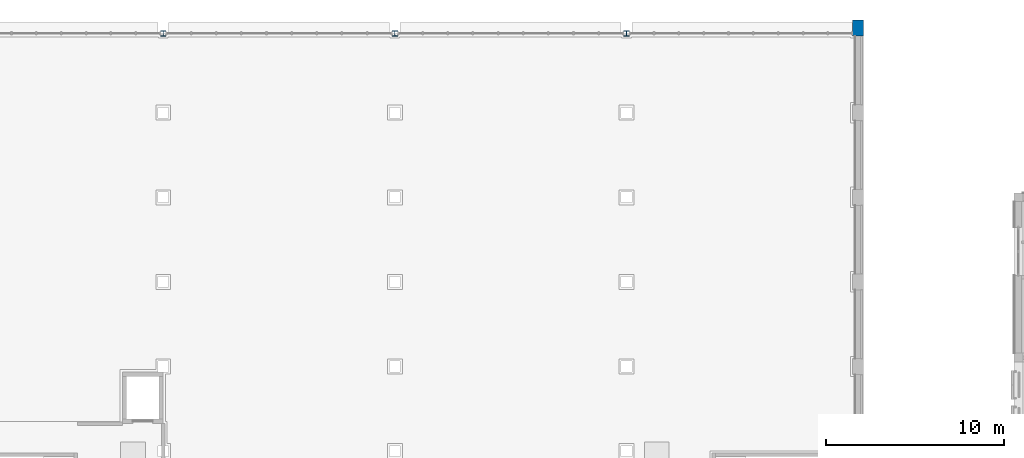
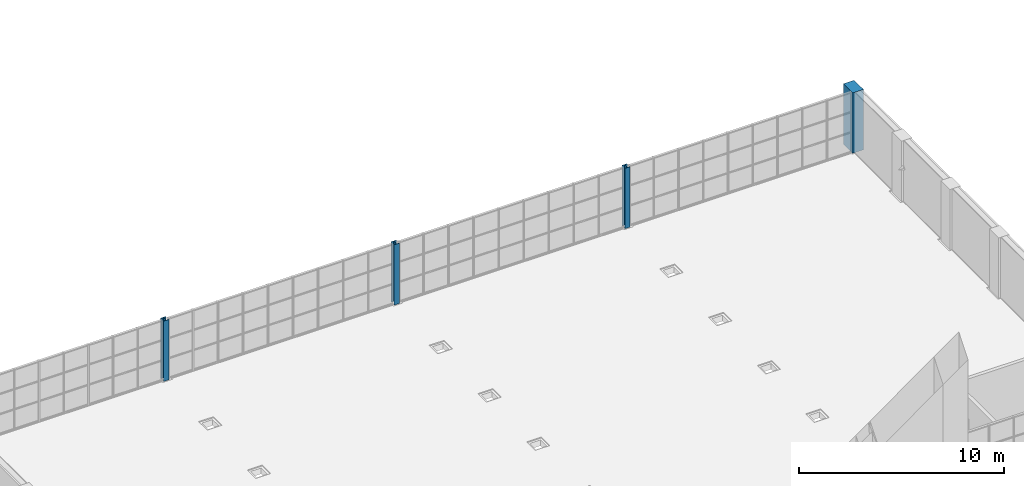
# One storey, part 5 of 82: 4 columns.
"""IFC4 building model written with IfcOpenShell, lengths in metres."""

from ifc_helpers import new_model, si_unit, direction, frame, origin, origin_2d, place, context, subcontext, project, spatial, rectangle, i_section, extrude, material, material_profile, profile_set, type_object, element, save


model = new_model("IFC4")

# Units and contexts
model_context = context("Model", 3, precision=1e-05, world=origin(), true_north=direction((0.0, 1.0)))
body_context = subcontext(model_context, "Body", "Model", "MODEL_VIEW")
ifc_project = project(units=[si_unit("LENGTHUNIT", "METRE"), si_unit("AREAUNIT", "SQUARE_METRE"), si_unit("VOLUMEUNIT", "CUBIC_METRE"), si_unit("PLANEANGLEUNIT", "RADIAN"), si_unit("MASSUNIT", "GRAM", prefix="KILO")], contexts=[model_context])

# Site, building, storey
site_placement = place(None, origin())
site = spatial("IfcSite", under=ifc_project, at=site_placement, CompositionType="ELEMENT")
building_placement = place(site_placement, origin())
building = spatial("IfcBuilding", under=site, at=building_placement, Name="Elbe Cascade School", CompositionType="ELEMENT")
storey_placement = place(building_placement, frame((0.0, 0.0, 4.5)))
storey = spatial("IfcBuildingStorey", under=building, at=storey_placement, Name="L01", CompositionType="ELEMENT", Elevation=4.5)

# Columns
ifc_material_1 = material(Name="Steel S355J2", Category="steel")
ifc_material_profile_1 = material_profile(ifc_material_1, i_section(OverallWidth=0.300048828125, OverallDepth=0.300048828125, WebThickness=0.010986328125, FlangeThickness=0.01904296875, FilletRadius=0.027099609375, at=origin_2d()), Name="HEB 300")
ifc_profile_set_1 = profile_set([ifc_material_profile_1], Name="Steel S355J2")
column_type_1 = type_object("IfcColumnType", Name="Hall gable post HEB 300", PredefinedType="COLUMN", material=ifc_profile_set_1)
for number, where, z_axis, x_axis, name in (
    (1, (21.0, 69.199951171875, 0.0), (0.0, 0.0, 1.0), (1.0, 0.0, 0.0), "Gable post N21"),
    (2, (34.0, 69.199951171875, 0.0), (0.0, 0.0, 1.0), (1.0, 0.0, 0.0), "Gable post N34"),
    (3, (47.0, 69.199951171875, 0.0), (0.0, 0.0, 1.0), (1.0, 0.0, 0.0), "Gable post N47"),
):
    element("IfcColumn", number, at=place(storey_placement, frame(where, z_axis=z_axis, x_axis=x_axis)), inside=storey, type_object=column_type_1, Name=name, PredefinedType="COLUMN", context=body_context, shape_type="SweptSolid", body=[
        extrude(i_section(OverallWidth=0.300048828125, OverallDepth=0.300048828125, WebThickness=0.010986328125, FlangeThickness=0.01904296875, FilletRadius=0.027099609375, at=origin_2d()), origin(), (0.0, 0.0, 1.0), 3.60009765625),
    ])
ifc_material_2 = material(Name="Concrete C30/37", Category="concrete")
ifc_material_profile_2 = material_profile(ifc_material_2, rectangle(XDim=0.60009765625, YDim=0.89990234375, at=origin_2d()), Name="RC 600x900")
ifc_profile_set_2 = profile_set([ifc_material_profile_2], Name="Concrete C30/37")
column_type_2 = type_object("IfcColumnType", Name="Hall pilaster RC 600x900", PredefinedType="COLUMN", material=ifc_profile_set_2)
column_placement = place(storey_placement, frame((60.0, 69.5, 0.0), z_axis=(0.0, 0.0, 1.0), x_axis=(1.0, 0.0, 0.0)))
element("IfcColumn", 4, at=column_placement, inside=storey, type_object=column_type_2, Name="Pilaster E7", PredefinedType="COLUMN", context=body_context, shape_type="SweptSolid", body=[
    extrude(rectangle(XDim=0.60009765625, YDim=0.89990234375, at=origin_2d()), origin(), (0.0, 0.0, 1.0), 3.60009765625),
])

save(model, "model.ifc")
